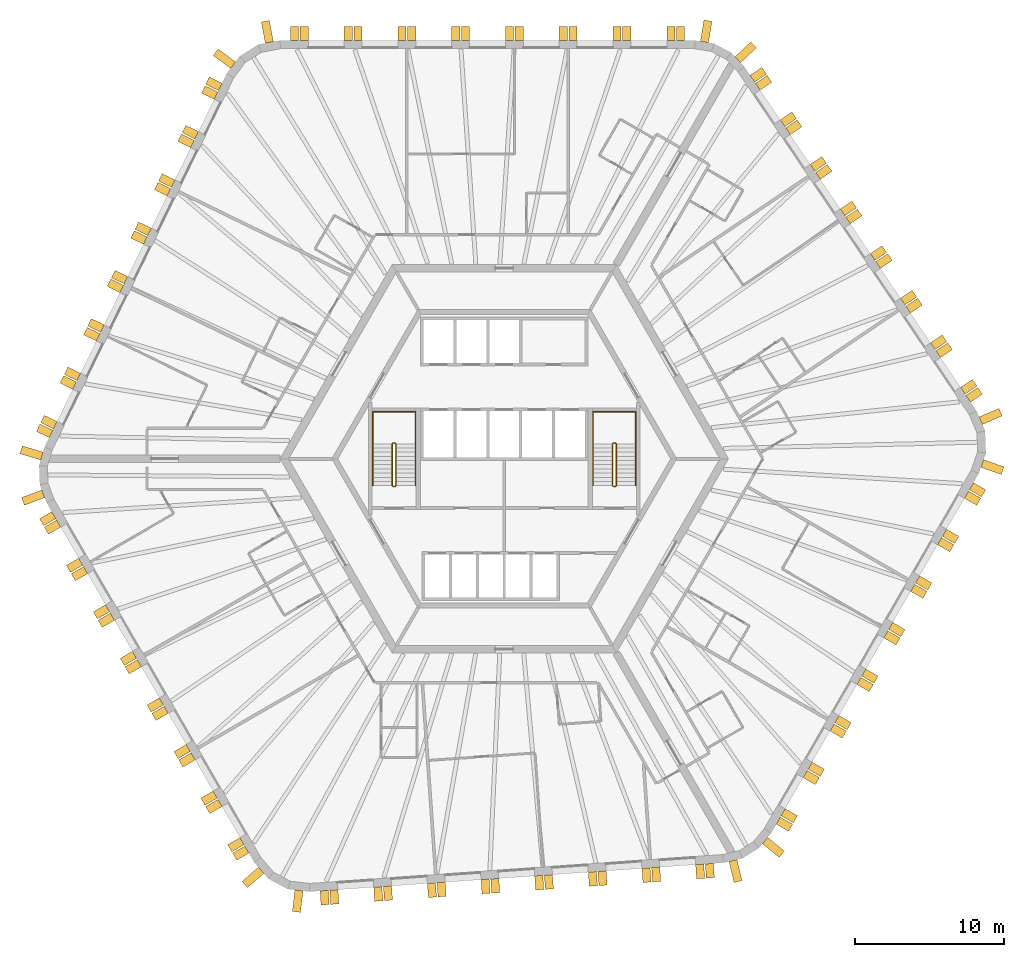
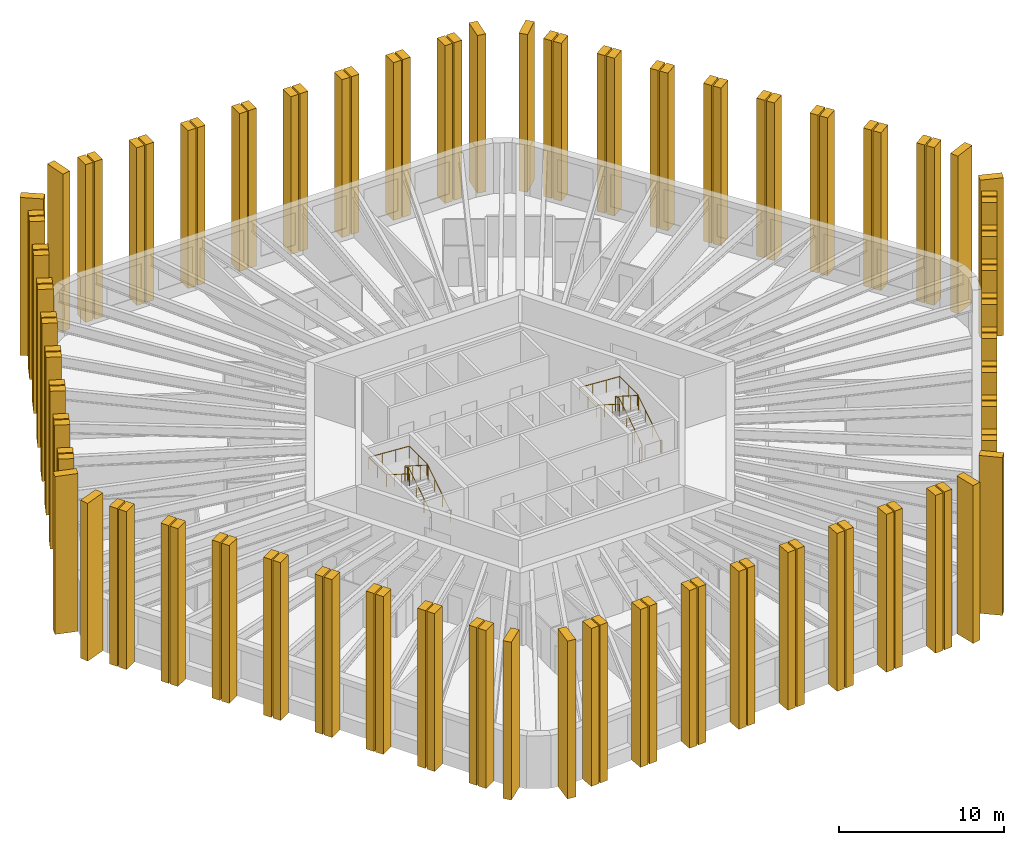
# One storey, part 11 of 11: 108 shading devices, 4 railings.
"""IFC4 building model written with IfcOpenShell, lengths in metres."""

from ifc_helpers import new_model, si_unit, direction, frame, origin, origin_2d, place, context, subcontext, project, spatial, polyline, circle, outline, extrude, material, layer, layer_set, type_object, element, save


model = new_model("IFC4")

# Units and contexts
model_context = context("Model", 3, precision=1e-05, world=origin(), true_north=direction((0.0, 1.0)))
body_context = subcontext(model_context, "Body", "Model", "MODEL_VIEW")
ifc_project = project(units=[si_unit("LENGTHUNIT", "METRE"), si_unit("AREAUNIT", "SQUARE_METRE"), si_unit("VOLUMEUNIT", "CUBIC_METRE"), si_unit("PLANEANGLEUNIT", "RADIAN"), si_unit("MASSUNIT", "GRAM", prefix="KILO")], contexts=[model_context])

# Site, building, storey
site_placement = place(None, origin())
site = spatial("IfcSite", under=ifc_project, at=site_placement, CompositionType="ELEMENT")
building_placement = place(site_placement, origin())
building = spatial("IfcBuilding", under=site, at=building_placement, Name="Tarnside Tower", CompositionType="ELEMENT")
storey_placement = place(building_placement, frame((0.0, 0.0, 183.89990234375)))
storey = spatial("IfcBuildingStorey", under=building, at=storey_placement, Name="L43", CompositionType="ELEMENT", Elevation=183.89990234375)

# Shading devices
ifc_material_1 = material(Name="Concrete C50/60 white precast", Category="concrete")
ifc_layer_1 = layer(ifc_material_1, 0.550048828125)
ifc_layer_set_1 = layer_set([ifc_layer_1], Name="Precast fin 550 x 1450")
shading_device_type_1 = type_object("IfcShadingDeviceType", Name="Precast fin 550 x 1450", PredefinedType="USERDEFINED", material=ifc_layer_set_1)
for number, where, z_axis, x_axis, name in (
    (1, (-15.725341796875, 27.86767578125, -0.14990234375), (0.982720646705, 0.18509492305, 0.0), (-0.18509492305, 0.982720646705, 0.0), "Precast fin"),
    (2, (-18.15380859375, 26.35009765625, -0.14990234375), (0.597158591707, 0.802123192752, 0.0), (-0.802123192752, 0.597158591707, 0.0), "Precast fin"),
    (3, (-30.949951171875, 0.184326171875, -0.14990234375), (0.286803232717, 0.957989512314, 0.0), (-0.957989512314, 0.286803232717, 0.0), "Precast fin"),
    (4, (-30.861572265625, -2.343017578125, -0.14990234375), (-0.352930564719, 0.935649515837, 0.0), (-0.935649515837, -0.352930564719, 0.0), "Precast fin"),
    (5, (-16.271484375, -27.55224609375, -0.14990234375), (-0.651657228826, 0.758513583345, 0.0), (-0.758513583345, -0.651657228826, 0.0), "Precast fin"),
    (6, (-13.7431640625, -28.896728515625, -0.14990234375), (-0.993238357741, 0.116092914131, 0.0), (-0.116092914131, -0.993238357741, 0.0), "Precast fin"),
    (7, (15.315185546875, -26.8955078125, -0.14990234375), (-0.973044870581, -0.230615870737, 0.0), (0.230615870737, -0.973044870581, 0.0), "Precast fin"),
    (8, (17.4599609375, -25.555419921875, -0.14990234375), (-0.633830967394, -0.773471592738, 0.0), (0.773471592738, -0.633830967394, 0.0), "Precast fin"),
    (9, (31.996826171875, -0.315185546875, -0.14990234375), (-0.331063417879, -0.943608506396, 0.0), (0.943608506396, -0.331063417879, 0.0), "Precast fin"),
    (10, (31.896728515625, 2.54638671875, -0.14990234375), (0.396079766034, -0.918216106883, 0.0), (0.918216106883, 0.396079766034, 0.0), "Precast fin"),
    (11, (15.634765625, 26.711181640625, -0.14990234375), (0.686241637865, -0.727373641577, 0.0), (0.727373641577, 0.686241637865, 0.0), "Precast fin"),
    (12, (13.40185546875, 27.8984375, -0.14990234375), (0.986761532114, -0.1621779231, 0.0), (0.1621779231, 0.986761532114, 0.0), "Precast fin"),
):
    element("IfcShadingDevice", number, at=place(storey_placement, frame(where, z_axis=z_axis, x_axis=x_axis)), inside=storey, type_object=shading_device_type_1, Name=name, ObjectType="FIN", PredefinedType="USERDEFINED", context=body_context, shape_type="SweptSolid", body=[
        extrude(outline(polyline([(0.0, 0.0), (1.449951171875, 0.0), (1.449951171875, 11.699951171875), (0.0, 11.699951171875), (0.0, 0.0)])), frame((0.0, 0.0, -0.27490234375)), (0.0, 0.0, 1.0), 0.550048828125),
    ])
ifc_layer_2 = layer(ifc_material_1, 0.550048828125)
ifc_layer_set_2 = layer_set([ifc_layer_2], Name="Precast fin 550 x 950")
shading_device_type_2 = type_object("IfcShadingDeviceType", Name="Precast fin 550 x 950", PredefinedType="USERDEFINED", material=ifc_layer_set_2)
for number, where, z_axis, x_axis, name in (
    (13, (11.80712890625, 28.0, -0.14990234375), (1.0, 0.0, 0.0), (0.0, 1.0, 0.0), "Precast fin"),
    (14, (11.1572265625, 28.0, -0.14990234375), (1.0, 0.0, 0.0), (0.0, 1.0, 0.0), "Precast fin"),
    (15, (8.20703125, 28.0, -0.14990234375), (1.0, 0.0, 0.0), (0.0, 1.0, 0.0), "Precast fin"),
    (16, (7.55712890625, 28.0, -0.14990234375), (1.0, 0.0, 0.0), (0.0, 1.0, 0.0), "Precast fin"),
    (17, (4.607177734375, 28.0, -0.14990234375), (1.0, 0.0, 0.0), (0.0, 1.0, 0.0), "Precast fin"),
    (18, (3.95703125, 28.0, -0.14990234375), (1.0, 0.0, 0.0), (0.0, 1.0, 0.0), "Precast fin"),
    (19, (1.007080078125, 28.0, -0.14990234375), (1.0, 0.0, 0.0), (0.0, 1.0, 0.0), "Precast fin"),
    (20, (0.357177734375, 28.0, -0.14990234375), (1.0, 0.0, 0.0), (0.0, 1.0, 0.0), "Precast fin"),
    (21, (-2.5927734375, 28.0, -0.14990234375), (1.0, 0.0, 0.0), (0.0, 1.0, 0.0), "Precast fin"),
    (22, (-3.242919921875, 28.0, -0.14990234375), (1.0, 0.0, 0.0), (0.0, 1.0, 0.0), "Precast fin"),
    (23, (-6.19287109375, 28.0, -0.14990234375), (1.0, 0.0, 0.0), (0.0, 1.0, 0.0), "Precast fin"),
    (24, (-6.8427734375, 28.0, -0.14990234375), (1.0, 0.0, 0.0), (0.0, 1.0, 0.0), "Precast fin"),
    (25, (-9.79296875, 28.0, -0.14990234375), (1.0, 0.0, 0.0), (0.0, 1.0, 0.0), "Precast fin"),
    (26, (-10.44287109375, 28.0, -0.14990234375), (1.0, 0.0, 0.0), (0.0, 1.0, 0.0), "Precast fin"),
    (27, (-13.392822265625, 28.0, -0.14990234375), (1.0, 0.0, 0.0), (0.0, 1.0, 0.0), "Precast fin"),
    (28, (-14.04296875, 28.0, -0.14990234375), (1.0, 0.0, 0.0), (0.0, 1.0, 0.0), "Precast fin"),
    (29, (-19.01025390625, 24.896240234375, -0.14990234375), (0.438371146789, 0.898794046299, 0.0), (-0.898794046299, 0.438371146789, 0.0), "Precast fin"),
    (30, (-19.295166015625, 24.31201171875, -0.14990234375), (0.438371146789, 0.898794046299, 0.0), (-0.898794046299, 0.438371146789, 0.0), "Precast fin"),
    (31, (-20.58837890625, 21.660400390625, -0.14990234375), (0.438371146789, 0.898794046299, 0.0), (-0.898794046299, 0.438371146789, 0.0), "Precast fin"),
    (32, (-20.873291015625, 21.076171875, -0.14990234375), (0.438371146789, 0.898794046299, 0.0), (-0.898794046299, 0.438371146789, 0.0), "Precast fin"),
    (33, (-22.16650390625, 18.4248046875, -0.14990234375), (0.438371146789, 0.898794046299, 0.0), (-0.898794046299, 0.438371146789, 0.0), "Precast fin"),
    (34, (-22.451416015625, 17.840576171875, -0.14990234375), (0.438371146789, 0.898794046299, 0.0), (-0.898794046299, 0.438371146789, 0.0), "Precast fin"),
    (35, (-23.74462890625, 15.189208984375, -0.14990234375), (0.438371146789, 0.898794046299, 0.0), (-0.898794046299, 0.438371146789, 0.0), "Precast fin"),
    (36, (-24.029541015625, 14.60498046875, -0.14990234375), (0.438371146789, 0.898794046299, 0.0), (-0.898794046299, 0.438371146789, 0.0), "Precast fin"),
    (37, (-25.32275390625, 11.953369140625, -0.14990234375), (0.438371146789, 0.898794046299, 0.0), (-0.898794046299, 0.438371146789, 0.0), "Precast fin"),
    (38, (-25.607666015625, 11.369384765625, -0.14990234375), (0.438371146789, 0.898794046299, 0.0), (-0.898794046299, 0.438371146789, 0.0), "Precast fin"),
    (39, (-26.90087890625, 8.7177734375, -0.14990234375), (0.438371146789, 0.898794046299, 0.0), (-0.898794046299, 0.438371146789, 0.0), "Precast fin"),
    (40, (-27.185791015625, 8.133544921875, -0.14990234375), (0.438371146789, 0.898794046299, 0.0), (-0.898794046299, 0.438371146789, 0.0), "Precast fin"),
    (41, (-28.47900390625, 5.482177734375, -0.14990234375), (0.438371146789, 0.898794046299, 0.0), (-0.898794046299, 0.438371146789, 0.0), "Precast fin"),
    (42, (-28.763916015625, 4.89794921875, -0.14990234375), (0.438371146789, 0.898794046299, 0.0), (-0.898794046299, 0.438371146789, 0.0), "Precast fin"),
    (43, (-30.05712890625, 2.24658203125, -0.14990234375), (0.438371146789, 0.898794046299, 0.0), (-0.898794046299, 0.438371146789, 0.0), "Precast fin"),
    (44, (-30.342041015625, 1.662353515625, -0.14990234375), (0.438371146789, 0.898794046299, 0.0), (-0.898794046299, 0.438371146789, 0.0), "Precast fin"),
    (45, (-30.15234375, -3.774658203125, -0.14990234375), (-0.5, 0.866025403784, 0.0), (-0.866025403784, -0.5, 0.0), "Precast fin"),
    (46, (-29.827392578125, -4.337646484375, -0.14990234375), (-0.5, 0.866025403784, 0.0), (-0.866025403784, -0.5, 0.0), "Precast fin"),
    (47, (-28.352294921875, -6.892333984375, -0.14990234375), (-0.5, 0.866025403784, 0.0), (-0.866025403784, -0.5, 0.0), "Precast fin"),
    (48, (-28.02734375, -7.455322265625, -0.14990234375), (-0.5, 0.866025403784, 0.0), (-0.866025403784, -0.5, 0.0), "Precast fin"),
    (49, (-26.55224609375, -10.010009765625, -0.14990234375), (-0.5, 0.866025403784, 0.0), (-0.866025403784, -0.5, 0.0), "Precast fin"),
    (50, (-26.227294921875, -10.572998046875, -0.14990234375), (-0.5, 0.866025403784, 0.0), (-0.866025403784, -0.5, 0.0), "Precast fin"),
    (51, (-24.752197265625, -13.127685546875, -0.14990234375), (-0.5, 0.866025403784, 0.0), (-0.866025403784, -0.5, 0.0), "Precast fin"),
    (52, (-24.42724609375, -13.690673828125, -0.14990234375), (-0.5, 0.866025403784, 0.0), (-0.866025403784, -0.5, 0.0), "Precast fin"),
    (53, (-22.952392578125, -16.24560546875, -0.14990234375), (-0.5, 0.866025403784, 0.0), (-0.866025403784, -0.5, 0.0), "Precast fin"),
    (54, (-22.627197265625, -16.808349609375, -0.14990234375), (-0.5, 0.866025403784, 0.0), (-0.866025403784, -0.5, 0.0), "Precast fin"),
    (55, (-21.15234375, -19.36328125, -0.14990234375), (-0.5, 0.866025403784, 0.0), (-0.866025403784, -0.5, 0.0), "Precast fin"),
    (56, (-20.827392578125, -19.926025390625, -0.14990234375), (-0.5, 0.866025403784, 0.0), (-0.866025403784, -0.5, 0.0), "Precast fin"),
    (57, (-19.352294921875, -22.48095703125, -0.14990234375), (-0.5, 0.866025403784, 0.0), (-0.866025403784, -0.5, 0.0), "Precast fin"),
    (58, (-19.02734375, -23.043701171875, -0.14990234375), (-0.5, 0.866025403784, 0.0), (-0.866025403784, -0.5, 0.0), "Precast fin"),
    (59, (-17.55224609375, -25.5986328125, -0.14990234375), (-0.5, 0.866025403784, 0.0), (-0.866025403784, -0.5, 0.0), "Precast fin"),
    (60, (-17.227294921875, -26.161376953125, -0.14990234375), (-0.5, 0.866025403784, 0.0), (-0.866025403784, -0.5, 0.0), "Precast fin"),
    (61, (-12.0556640625, -28.911376953125, -0.14990234375), (-0.99756405026, -0.069756473744, 0.0), (0.069756473744, -0.99756405026, 0.0), "Precast fin"),
    (62, (-11.4072265625, -28.865966796875, -0.14990234375), (-0.99756405026, -0.069756473744, 0.0), (0.069756473744, -0.99756405026, 0.0), "Precast fin"),
    (63, (-8.46435546875, -28.66015625, -0.14990234375), (-0.99756405026, -0.069756473744, 0.0), (0.069756473744, -0.99756405026, 0.0), "Precast fin"),
    (64, (-7.81591796875, -28.614990234375, -0.14990234375), (-0.99756405026, -0.069756473744, 0.0), (0.069756473744, -0.99756405026, 0.0), "Precast fin"),
    (65, (-4.873046875, -28.4091796875, -0.14990234375), (-0.99756405026, -0.069756473744, 0.0), (0.069756473744, -0.99756405026, 0.0), "Precast fin"),
    (66, (-4.224609375, -28.36376953125, -0.14990234375), (-0.99756405026, -0.069756473744, 0.0), (0.069756473744, -0.99756405026, 0.0), "Precast fin"),
    (67, (-1.281982421875, -28.157958984375, -0.14990234375), (-0.99756405026, -0.069756473744, 0.0), (0.069756473744, -0.99756405026, 0.0), "Precast fin"),
    (68, (-0.633544921875, -28.112548828125, -0.14990234375), (-0.99756405026, -0.069756473744, 0.0), (0.069756473744, -0.99756405026, 0.0), "Precast fin"),
    (69, (2.309326171875, -27.906982421875, -0.14990234375), (-0.99756405026, -0.069756473744, 0.0), (0.069756473744, -0.99756405026, 0.0), "Precast fin"),
    (70, (2.957763671875, -27.861572265625, -0.14990234375), (-0.99756405026, -0.069756473744, 0.0), (0.069756473744, -0.99756405026, 0.0), "Precast fin"),
    (71, (5.900634765625, -27.65576171875, -0.14990234375), (-0.99756405026, -0.069756473744, 0.0), (0.069756473744, -0.99756405026, 0.0), "Precast fin"),
    (72, (6.549072265625, -27.6103515625, -0.14990234375), (-0.99756405026, -0.069756473744, 0.0), (0.069756473744, -0.99756405026, 0.0), "Precast fin"),
    (73, (9.49169921875, -27.404541015625, -0.14990234375), (-0.99756405026, -0.069756473744, 0.0), (0.069756473744, -0.99756405026, 0.0), "Precast fin"),
    (74, (10.14013671875, -27.359375, -0.14990234375), (-0.99756405026, -0.069756473744, 0.0), (0.069756473744, -0.99756405026, 0.0), "Precast fin"),
    (75, (13.0830078125, -27.153564453125, -0.14990234375), (-0.99756405026, -0.069756473744, 0.0), (0.069756473744, -0.99756405026, 0.0), "Precast fin"),
    (76, (13.7314453125, -27.108154296875, -0.14990234375), (-0.99756405026, -0.069756473744, 0.0), (0.069756473744, -0.99756405026, 0.0), "Precast fin"),
    (77, (18.34521484375, -24.225341796875, -0.14990234375), (-0.5, -0.866025403784, 0.0), (0.866025403784, -0.5, 0.0), "Precast fin"),
    (78, (18.670166015625, -23.662353515625, -0.14990234375), (-0.5, -0.866025403784, 0.0), (0.866025403784, -0.5, 0.0), "Precast fin"),
    (79, (20.145263671875, -21.107666015625, -0.14990234375), (-0.5, -0.866025403784, 0.0), (0.866025403784, -0.5, 0.0), "Precast fin"),
    (80, (20.47021484375, -20.544677734375, -0.14990234375), (-0.5, -0.866025403784, 0.0), (0.866025403784, -0.5, 0.0), "Precast fin"),
    (81, (21.945068359375, -17.989990234375, -0.14990234375), (-0.5, -0.866025403784, 0.0), (0.866025403784, -0.5, 0.0), "Precast fin"),
    (82, (22.270263671875, -17.427001953125, -0.14990234375), (-0.5, -0.866025403784, 0.0), (0.866025403784, -0.5, 0.0), "Precast fin"),
    (83, (23.7451171875, -14.872314453125, -0.14990234375), (-0.5, -0.866025403784, 0.0), (0.866025403784, -0.5, 0.0), "Precast fin"),
    (84, (24.070068359375, -14.309326171875, -0.14990234375), (-0.5, -0.866025403784, 0.0), (0.866025403784, -0.5, 0.0), "Precast fin"),
    (85, (25.545166015625, -11.75439453125, -0.14990234375), (-0.5, -0.866025403784, 0.0), (0.866025403784, -0.5, 0.0), "Precast fin"),
    (86, (25.8701171875, -11.191650390625, -0.14990234375), (-0.5, -0.866025403784, 0.0), (0.866025403784, -0.5, 0.0), "Precast fin"),
    (87, (27.34521484375, -8.63671875, -0.14990234375), (-0.5, -0.866025403784, 0.0), (0.866025403784, -0.5, 0.0), "Precast fin"),
    (88, (27.670166015625, -8.073974609375, -0.14990234375), (-0.5, -0.866025403784, 0.0), (0.866025403784, -0.5, 0.0), "Precast fin"),
    (89, (29.145263671875, -5.51904296875, -0.14990234375), (-0.5, -0.866025403784, 0.0), (0.866025403784, -0.5, 0.0), "Precast fin"),
    (90, (29.47021484375, -4.956298828125, -0.14990234375), (-0.5, -0.866025403784, 0.0), (0.866025403784, -0.5, 0.0), "Precast fin"),
    (91, (30.945068359375, -2.4013671875, -0.14990234375), (-0.5, -0.866025403784, 0.0), (0.866025403784, -0.5, 0.0), "Precast fin"),
    (92, (31.270263671875, -1.838623046875, -0.14990234375), (-0.5, -0.866025403784, 0.0), (0.866025403784, -0.5, 0.0), "Precast fin"),
    (93, (31.065673828125, 4.01513671875, -0.14990234375), (0.559192903471, -0.829037572555, 0.0), (0.829037572555, 0.559192903471, 0.0), "Precast fin"),
    (94, (30.702392578125, 4.55419921875, -0.14990234375), (0.559192903471, -0.829037572555, 0.0), (0.829037572555, 0.559192903471, 0.0), "Precast fin"),
    (95, (29.052734375, 6.999755859375, -0.14990234375), (0.559192903471, -0.829037572555, 0.0), (0.829037572555, 0.559192903471, 0.0), "Precast fin"),
    (96, (28.689208984375, 7.53857421875, -0.14990234375), (0.559192903471, -0.829037572555, 0.0), (0.829037572555, 0.559192903471, 0.0), "Precast fin"),
    (97, (27.03955078125, 9.984375, -0.14990234375), (0.559192903471, -0.829037572555, 0.0), (0.829037572555, 0.559192903471, 0.0), "Precast fin"),
    (98, (26.676025390625, 10.523193359375, -0.14990234375), (0.559192903471, -0.829037572555, 0.0), (0.829037572555, 0.559192903471, 0.0), "Precast fin"),
    (99, (25.026611328125, 12.96875, -0.14990234375), (0.559192903471, -0.829037572555, 0.0), (0.829037572555, 0.559192903471, 0.0), "Precast fin"),
    (100, (24.6630859375, 13.5078125, -0.14990234375), (0.559192903471, -0.829037572555, 0.0), (0.829037572555, 0.559192903471, 0.0), "Precast fin"),
    (101, (23.013427734375, 15.953369140625, -0.14990234375), (0.559192903471, -0.829037572555, 0.0), (0.829037572555, 0.559192903471, 0.0), "Precast fin"),
    (102, (22.64990234375, 16.4921875, -0.14990234375), (0.559192903471, -0.829037572555, 0.0), (0.829037572555, 0.559192903471, 0.0), "Precast fin"),
    (103, (21.000244140625, 18.93798828125, -0.14990234375), (0.559192903471, -0.829037572555, 0.0), (0.829037572555, 0.559192903471, 0.0), "Precast fin"),
    (104, (20.63671875, 19.476806640625, -0.14990234375), (0.559192903471, -0.829037572555, 0.0), (0.829037572555, 0.559192903471, 0.0), "Precast fin"),
    (105, (18.9873046875, 21.92236328125, -0.14990234375), (0.559192903471, -0.829037572555, 0.0), (0.829037572555, 0.559192903471, 0.0), "Precast fin"),
    (106, (18.623779296875, 22.46142578125, -0.14990234375), (0.559192903471, -0.829037572555, 0.0), (0.829037572555, 0.559192903471, 0.0), "Precast fin"),
    (107, (16.97412109375, 24.906982421875, -0.14990234375), (0.559192903471, -0.829037572555, 0.0), (0.829037572555, 0.559192903471, 0.0), "Precast fin"),
    (108, (16.610595703125, 25.44580078125, -0.14990234375), (0.559192903471, -0.829037572555, 0.0), (0.829037572555, 0.559192903471, 0.0), "Precast fin"),
):
    element("IfcShadingDevice", number, at=place(storey_placement, frame(where, z_axis=z_axis, x_axis=x_axis)), inside=storey, type_object=shading_device_type_2, Name=name, ObjectType="FIN", PredefinedType="USERDEFINED", context=body_context, shape_type="SweptSolid", body=[
        extrude(outline(polyline([(0.0, 0.0), (0.949951171875, 0.0), (0.949951171875, 11.699951171875), (0.0, 11.699951171875), (0.0, 0.0)])), frame((0.0, 0.0, -0.27490234375)), (0.0, 0.0, 1.0), 0.550048828125),
    ])

# Railings
ifc_material_2 = material(Name="Stainless steel", Category="steel")
railing_type_1 = type_object("IfcRailingType", Name="Stair guard 1100", PredefinedType="GUARDRAIL", material=ifc_material_2)
railing_1_placement = place(storey_placement, frame((7.300048828125, -1.85009765625, 0.0)))
element("IfcRailing", 109, at=railing_1_placement, inside=storey, type_object=railing_type_1, Name="L43 ST1 stair guard 1", PredefinedType="GUARDRAIL", context=body_context, shape_type="SweptSolid", body=[
    extrude(circle(Radius=0.02392578125, at=origin_2d()), frame((0.0, 0.0, 1.076171875), z_axis=(1.0, 0.0, 0.0), x_axis=(0.0, 1.0, 0.0)), (0.0, 0.0, 1.0), 0.14990234375),
    extrude(circle(Radius=0.02392578125, at=origin_2d()), frame((0.14990234375, 0.0, 1.076171875), z_axis=(0.261922500866, 0.261922500866, 0.928866625022), x_axis=(-0.707106781187, 0.707106781187, 0.0)), (0.0, 0.0, 1.0), 0.191162109375),
    extrude(circle(Radius=0.02392578125, at=origin_2d()), frame((0.199951171875, 0.050048828125, 1.25341796875), z_axis=(0.0, 0.844908973607, 0.534910110503), x_axis=(-1.0, 0.0, 0.0)), (0.0, 0.0, 1.0), 3.31396484375),
    extrude(circle(Radius=0.02392578125, at=origin_2d()), frame((0.199951171875, 2.85009765625, 3.0263671875), z_axis=(-0.707106781187, 0.707106781187, 0.0), x_axis=(-0.707106781187, -0.707106781187, 0.0)), (0.0, 0.0, 1.0), 0.07080078125),
    extrude(circle(Radius=0.02392578125, at=origin_2d()), frame((0.14990234375, 2.900146484375, 3.0263671875), z_axis=(-1.0, 0.0, 0.0), x_axis=(0.0, -1.0, 0.0)), (0.0, 0.0, 1.0), 0.14990234375),
    extrude(circle(Radius=0.02392578125, at=origin_2d()), frame((0.0, 2.900146484375, 3.0263671875), z_axis=(-0.262233686654, -0.262233686654, 0.928691007369), x_axis=(0.707106781187, -0.707106781187, 0.0)), (0.0, 0.0, 1.0), 0.19091796875),
    extrude(circle(Radius=0.02392578125, at=origin_2d()), frame((-0.050048828125, 2.85009765625, 3.20361328125), z_axis=(0.0, -0.844908973607, 0.534910110503), x_axis=(1.0, 0.0, 0.0)), (0.0, 0.0, 1.0), 3.31396484375),
    extrude(circle(Radius=0.02099609375, at=origin_2d()), origin(), (0.0, 0.0, 1.0), 1.052001953125),
    extrude(circle(Radius=0.02099609375, at=origin_2d()), frame((0.14990234375, 0.0, 0.0)), (0.0, 0.0, 1.0), 1.052001953125),
    extrude(circle(Radius=0.02099609375, at=origin_2d()), frame((0.199951171875, 0.050048828125, 0.177490234375)), (0.0, 0.0, 1.0), 1.052001953125),
    extrude(circle(Radius=0.02099609375, at=origin_2d()), frame((0.199951171875, 0.9833984375, 0.768310546875)), (0.0, 0.0, 1.0), 1.052001953125),
    extrude(circle(Radius=0.02099609375, at=origin_2d()), frame((0.199951171875, 1.916748046875, 1.359375)), (0.0, 0.0, 1.0), 1.052001953125),
    extrude(circle(Radius=0.02099609375, at=origin_2d()), frame((0.199951171875, 2.85009765625, 1.9501953125)), (0.0, 0.0, 1.0), 1.052001953125),
    extrude(circle(Radius=0.02099609375, at=origin_2d()), frame((0.14990234375, 2.900146484375, 1.9501953125)), (0.0, 0.0, 1.0), 1.052001953125),
    extrude(circle(Radius=0.02099609375, at=origin_2d()), frame((0.0, 2.900146484375, 1.9501953125)), (0.0, 0.0, 1.0), 1.052001953125),
    extrude(circle(Radius=0.02099609375, at=origin_2d()), frame((-0.050048828125, 2.85009765625, 2.12744140625)), (0.0, 0.0, 1.0), 1.052001953125),
    extrude(circle(Radius=0.02099609375, at=origin_2d()), frame((-0.050048828125, 1.916748046875, 2.71826171875)), (0.0, 0.0, 1.0), 1.052001953125),
    extrude(circle(Radius=0.02099609375, at=origin_2d()), frame((-0.050048828125, 0.9833984375, 3.309326171875)), (0.0, 0.0, 1.0), 1.052001953125),
    extrude(circle(Radius=0.02099609375, at=origin_2d()), frame((-0.050048828125, 0.050048828125, 3.900146484375)), (0.0, 0.0, 1.0), 1.052001953125),
])
railing_2_placement = place(storey_placement, frame((-7.449951171875, -1.85009765625, 0.0)))
element("IfcRailing", 110, at=railing_2_placement, inside=storey, type_object=railing_type_1, Name="L43 ST2 stair guard 1", PredefinedType="GUARDRAIL", context=body_context, shape_type="SweptSolid", body=[
    extrude(circle(Radius=0.02392578125, at=origin_2d()), frame((0.0, 0.0, 1.076171875), z_axis=(1.0, 0.0, 0.0), x_axis=(0.0, 1.0, 0.0)), (0.0, 0.0, 1.0), 0.14990234375),
    extrude(circle(Radius=0.02392578125, at=origin_2d()), frame((0.14990234375, 0.0, 1.076171875), z_axis=(0.261922500866, 0.261922500866, 0.928866625022), x_axis=(-0.707106781187, 0.707106781187, 0.0)), (0.0, 0.0, 1.0), 0.191162109375),
    extrude(circle(Radius=0.02392578125, at=origin_2d()), frame((0.199951171875, 0.050048828125, 1.25341796875), z_axis=(0.0, 0.844908973607, 0.534910110503), x_axis=(-1.0, 0.0, 0.0)), (0.0, 0.0, 1.0), 3.31396484375),
    extrude(circle(Radius=0.02392578125, at=origin_2d()), frame((0.199951171875, 2.85009765625, 3.0263671875), z_axis=(-0.707106781187, 0.707106781187, 0.0), x_axis=(-0.707106781187, -0.707106781187, 0.0)), (0.0, 0.0, 1.0), 0.07080078125),
    extrude(circle(Radius=0.02392578125, at=origin_2d()), frame((0.14990234375, 2.900146484375, 3.0263671875), z_axis=(-1.0, 0.0, 0.0), x_axis=(0.0, -1.0, 0.0)), (0.0, 0.0, 1.0), 0.14990234375),
    extrude(circle(Radius=0.02392578125, at=origin_2d()), frame((0.0, 2.900146484375, 3.0263671875), z_axis=(-0.262233686654, -0.262233686654, 0.928691007369), x_axis=(0.707106781187, -0.707106781187, 0.0)), (0.0, 0.0, 1.0), 0.19091796875),
    extrude(circle(Radius=0.02392578125, at=origin_2d()), frame((-0.050048828125, 2.85009765625, 3.20361328125), z_axis=(0.0, -0.844908973607, 0.534910110503), x_axis=(1.0, 0.0, 0.0)), (0.0, 0.0, 1.0), 3.31396484375),
    extrude(circle(Radius=0.02099609375, at=origin_2d()), origin(), (0.0, 0.0, 1.0), 1.052001953125),
    extrude(circle(Radius=0.02099609375, at=origin_2d()), frame((0.14990234375, 0.0, 0.0)), (0.0, 0.0, 1.0), 1.052001953125),
    extrude(circle(Radius=0.02099609375, at=origin_2d()), frame((0.199951171875, 0.050048828125, 0.177490234375)), (0.0, 0.0, 1.0), 1.052001953125),
    extrude(circle(Radius=0.02099609375, at=origin_2d()), frame((0.199951171875, 0.9833984375, 0.768310546875)), (0.0, 0.0, 1.0), 1.052001953125),
    extrude(circle(Radius=0.02099609375, at=origin_2d()), frame((0.199951171875, 1.916748046875, 1.359375)), (0.0, 0.0, 1.0), 1.052001953125),
    extrude(circle(Radius=0.02099609375, at=origin_2d()), frame((0.199951171875, 2.85009765625, 1.9501953125)), (0.0, 0.0, 1.0), 1.052001953125),
    extrude(circle(Radius=0.02099609375, at=origin_2d()), frame((0.14990234375, 2.900146484375, 1.9501953125)), (0.0, 0.0, 1.0), 1.052001953125),
    extrude(circle(Radius=0.02099609375, at=origin_2d()), frame((0.0, 2.900146484375, 1.9501953125)), (0.0, 0.0, 1.0), 1.052001953125),
    extrude(circle(Radius=0.02099609375, at=origin_2d()), frame((-0.050048828125, 2.85009765625, 2.12744140625)), (0.0, 0.0, 1.0), 1.052001953125),
    extrude(circle(Radius=0.02099609375, at=origin_2d()), frame((-0.050048828125, 1.916748046875, 2.71826171875)), (0.0, 0.0, 1.0), 1.052001953125),
    extrude(circle(Radius=0.02099609375, at=origin_2d()), frame((-0.050048828125, 0.9833984375, 3.309326171875)), (0.0, 0.0, 1.0), 1.052001953125),
    extrude(circle(Radius=0.02099609375, at=origin_2d()), frame((-0.050048828125, 0.050048828125, 3.900146484375)), (0.0, 0.0, 1.0), 1.052001953125),
])
railing_type_2 = type_object("IfcRailingType", Name="Stair handrail 900", PredefinedType="HANDRAIL", material=ifc_material_2)
railing_3_placement = place(storey_placement, frame((8.800048828125, -1.800048828125, 0.177490234375)))
element("IfcRailing", 111, at=railing_3_placement, inside=storey, type_object=railing_type_2, Name="L43 ST1 stair handrail 1", PredefinedType="HANDRAIL", context=body_context, shape_type="SweptSolid", body=[
    extrude(circle(Radius=0.02392578125, at=origin_2d()), frame((0.0, 0.0, 0.8857421875), z_axis=(0.0, 0.844908973607, 0.534910110503), x_axis=(-1.0, 0.0, 0.0)), (0.0, 0.0, 1.0), 3.31396484375),
    extrude(circle(Radius=0.02392578125, at=origin_2d()), frame((0.0, 2.800048828125, 2.65869140625), z_axis=(0.0, 1.0, 0.0), x_axis=(-1.0, 0.0, 0.0)), (0.0, 0.0, 1.0), 2.14990234375),
    extrude(circle(Radius=0.02392578125, at=origin_2d()), frame((0.0, 4.949951171875, 2.65869140625), z_axis=(-0.998071825391, 0.0, 0.06206956872), x_axis=(0.0, -1.0, 0.0)), (0.0, 0.0, 1.0), 2.855712890625),
    extrude(circle(Radius=0.02392578125, at=origin_2d()), frame((-2.85009765625, 4.949951171875, 2.8359375), z_axis=(0.0, -1.0, 0.0), x_axis=(1.0, 0.0, 0.0)), (0.0, 0.0, 1.0), 2.14990234375),
    extrude(circle(Radius=0.02392578125, at=origin_2d()), frame((-2.85009765625, 2.800048828125, 2.8359375), z_axis=(0.0, -0.844908973607, 0.534910110503), x_axis=(1.0, 0.0, 0.0)), (0.0, 0.0, 1.0), 3.31396484375),
    extrude(circle(Radius=0.02099609375, at=origin_2d()), origin(), (0.0, 0.0, 1.0), 0.86181640625),
    extrude(circle(Radius=0.02099609375, at=origin_2d()), frame((0.0, 0.933349609375, 0.5908203125)), (0.0, 0.0, 1.0), 0.86181640625),
    extrude(circle(Radius=0.02099609375, at=origin_2d()), frame((0.0, 1.86669921875, 1.181884765625)), (0.0, 0.0, 1.0), 0.86181640625),
    extrude(circle(Radius=0.02099609375, at=origin_2d()), frame((0.0, 2.800048828125, 1.772705078125)), (0.0, 0.0, 1.0), 0.86181640625),
    extrude(circle(Radius=0.02099609375, at=origin_2d()), frame((0.0, 3.875, 1.772705078125)), (0.0, 0.0, 1.0), 0.86181640625),
    extrude(circle(Radius=0.02099609375, at=origin_2d()), frame((0.0, 4.949951171875, 1.772705078125)), (0.0, 0.0, 1.0), 0.86181640625),
    extrude(circle(Radius=0.02099609375, at=origin_2d()), frame((-0.949951171875, 4.949951171875, 1.831787109375)), (0.0, 0.0, 1.0), 0.86181640625),
    extrude(circle(Radius=0.02099609375, at=origin_2d()), frame((-1.900146484375, 4.949951171875, 1.890869140625)), (0.0, 0.0, 1.0), 0.86181640625),
    extrude(circle(Radius=0.02099609375, at=origin_2d()), frame((-2.85009765625, 4.949951171875, 1.949951171875)), (0.0, 0.0, 1.0), 0.86181640625),
    extrude(circle(Radius=0.02099609375, at=origin_2d()), frame((-2.85009765625, 3.875, 1.949951171875)), (0.0, 0.0, 1.0), 0.86181640625),
    extrude(circle(Radius=0.02099609375, at=origin_2d()), frame((-2.85009765625, 2.800048828125, 1.949951171875)), (0.0, 0.0, 1.0), 0.86181640625),
    extrude(circle(Radius=0.02099609375, at=origin_2d()), frame((-2.85009765625, 1.86669921875, 2.540771484375)), (0.0, 0.0, 1.0), 0.86181640625),
    extrude(circle(Radius=0.02099609375, at=origin_2d()), frame((-2.85009765625, 0.933349609375, 3.1318359375)), (0.0, 0.0, 1.0), 0.86181640625),
    extrude(circle(Radius=0.02099609375, at=origin_2d()), frame((-2.85009765625, 0.0, 3.72265625)), (0.0, 0.0, 1.0), 0.86181640625),
])
railing_4_placement = place(storey_placement, frame((-5.949951171875, -1.800048828125, 0.177490234375)))
element("IfcRailing", 112, at=railing_4_placement, inside=storey, type_object=railing_type_2, Name="L43 ST2 stair handrail 1", PredefinedType="HANDRAIL", context=body_context, shape_type="SweptSolid", body=[
    extrude(circle(Radius=0.02392578125, at=origin_2d()), frame((0.0, 0.0, 0.8857421875), z_axis=(0.0, 0.844908973607, 0.534910110503), x_axis=(-1.0, 0.0, 0.0)), (0.0, 0.0, 1.0), 3.31396484375),
    extrude(circle(Radius=0.02392578125, at=origin_2d()), frame((0.0, 2.800048828125, 2.65869140625), z_axis=(0.0, 1.0, 0.0), x_axis=(-1.0, 0.0, 0.0)), (0.0, 0.0, 1.0), 2.14990234375),
    extrude(circle(Radius=0.02392578125, at=origin_2d()), frame((0.0, 4.949951171875, 2.65869140625), z_axis=(-0.998071825391, 0.0, 0.06206956872), x_axis=(0.0, -1.0, 0.0)), (0.0, 0.0, 1.0), 2.855712890625),
    extrude(circle(Radius=0.02392578125, at=origin_2d()), frame((-2.85009765625, 4.949951171875, 2.8359375), z_axis=(0.0, -1.0, 0.0), x_axis=(1.0, 0.0, 0.0)), (0.0, 0.0, 1.0), 2.14990234375),
    extrude(circle(Radius=0.02392578125, at=origin_2d()), frame((-2.85009765625, 2.800048828125, 2.8359375), z_axis=(0.0, -0.844908973607, 0.534910110503), x_axis=(1.0, 0.0, 0.0)), (0.0, 0.0, 1.0), 3.31396484375),
    extrude(circle(Radius=0.02099609375, at=origin_2d()), origin(), (0.0, 0.0, 1.0), 0.86181640625),
    extrude(circle(Radius=0.02099609375, at=origin_2d()), frame((0.0, 0.933349609375, 0.5908203125)), (0.0, 0.0, 1.0), 0.86181640625),
    extrude(circle(Radius=0.02099609375, at=origin_2d()), frame((0.0, 1.86669921875, 1.181884765625)), (0.0, 0.0, 1.0), 0.86181640625),
    extrude(circle(Radius=0.02099609375, at=origin_2d()), frame((0.0, 2.800048828125, 1.772705078125)), (0.0, 0.0, 1.0), 0.86181640625),
    extrude(circle(Radius=0.02099609375, at=origin_2d()), frame((0.0, 3.875, 1.772705078125)), (0.0, 0.0, 1.0), 0.86181640625),
    extrude(circle(Radius=0.02099609375, at=origin_2d()), frame((0.0, 4.949951171875, 1.772705078125)), (0.0, 0.0, 1.0), 0.86181640625),
    extrude(circle(Radius=0.02099609375, at=origin_2d()), frame((-0.949951171875, 4.949951171875, 1.831787109375)), (0.0, 0.0, 1.0), 0.86181640625),
    extrude(circle(Radius=0.02099609375, at=origin_2d()), frame((-1.900146484375, 4.949951171875, 1.890869140625)), (0.0, 0.0, 1.0), 0.86181640625),
    extrude(circle(Radius=0.02099609375, at=origin_2d()), frame((-2.85009765625, 4.949951171875, 1.949951171875)), (0.0, 0.0, 1.0), 0.86181640625),
    extrude(circle(Radius=0.02099609375, at=origin_2d()), frame((-2.85009765625, 3.875, 1.949951171875)), (0.0, 0.0, 1.0), 0.86181640625),
    extrude(circle(Radius=0.02099609375, at=origin_2d()), frame((-2.85009765625, 2.800048828125, 1.949951171875)), (0.0, 0.0, 1.0), 0.86181640625),
    extrude(circle(Radius=0.02099609375, at=origin_2d()), frame((-2.85009765625, 1.86669921875, 2.540771484375)), (0.0, 0.0, 1.0), 0.86181640625),
    extrude(circle(Radius=0.02099609375, at=origin_2d()), frame((-2.85009765625, 0.933349609375, 3.1318359375)), (0.0, 0.0, 1.0), 0.86181640625),
    extrude(circle(Radius=0.02099609375, at=origin_2d()), frame((-2.85009765625, 0.0, 3.72265625)), (0.0, 0.0, 1.0), 0.86181640625),
])

save(model, "model.ifc")
